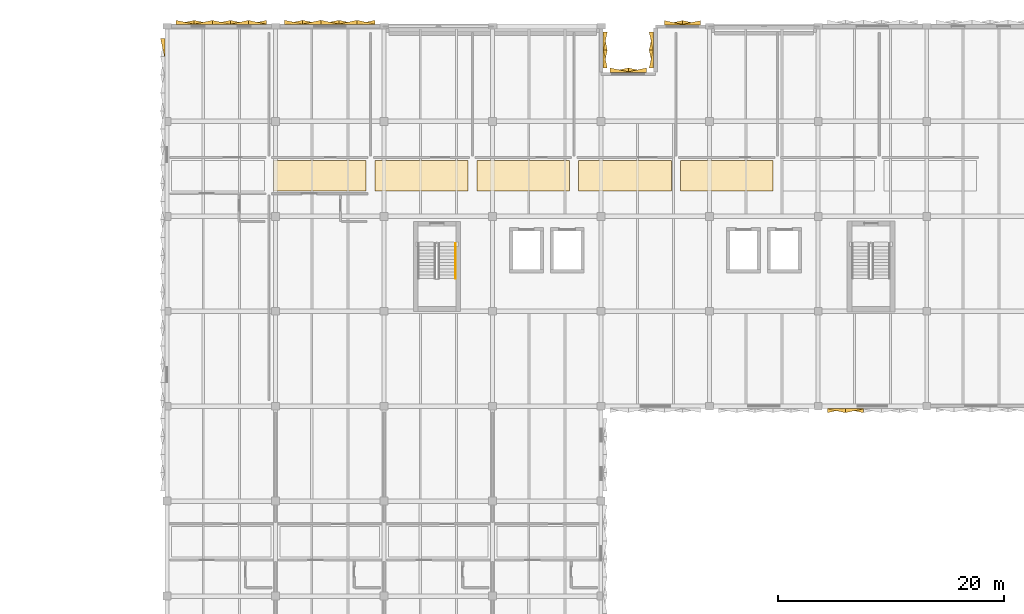
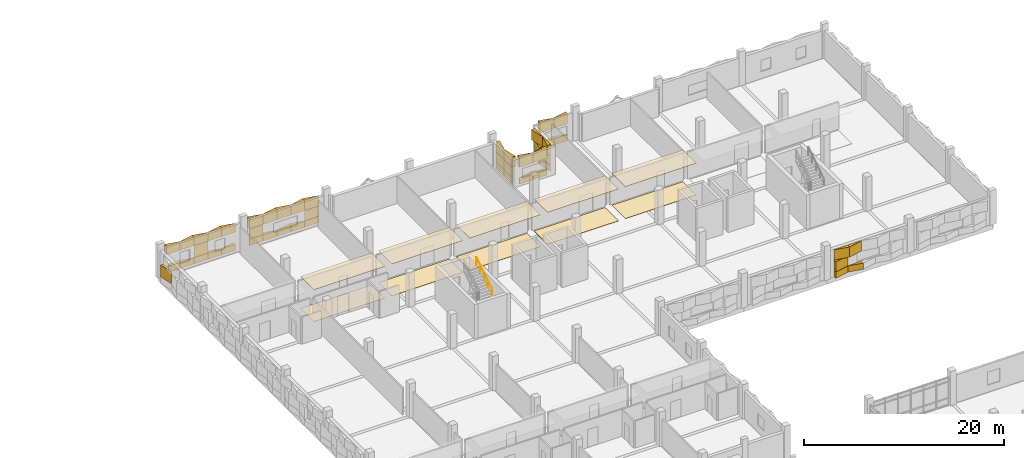
# One storey, part 55 of 57: 59 coverings, 1 railing.
"""IFC4 building model written with IfcOpenShell, lengths in metres."""

import ifcopenshell
import ifcopenshell.guid

model = None  # the IFC model being written
_history = None  # IfcOwnerHistory: only IFC2X3 demands one
_inside = {}  # id of a spatial element -> (the spatial element, [elements in it])
_under = {}  # id of a project, library or spatial element -> (it, [spatial elements below it])
_declared = {}  # id of a project -> (the project, [libraries it declares])
_typed = {}  # id of a type object -> (the type object, [elements of that type])
_made_of = {}  # id of a material, layer set ... -> (it, [elements and type objects made of it])


def new_model(schema):
    """Start an empty IFC model of exactly this schema.

    Asked for "IFC4X3", IfcOpenShell would pick the latest addendum, in which some entities
    have other attributes; the version numbers below select the first issue.
    IFC2X3 requires an IfcOwnerHistory on every rooted entity: one is made here for all.
    """
    global model, _history
    if schema == "IFC4X3":
        model = ifcopenshell.file(schema_version=(4, 3, 0, 0))
    else:
        model = ifcopenshell.file(schema=schema)
    _inside.clear()
    _under.clear()
    _declared.clear()
    _typed.clear()
    _made_of.clear()
    _history = None
    if model.schema == "IFC2X3":
        org = make("IfcOrganization", Name="unknown")
        user = make(
            "IfcPersonAndOrganization",
            ThePerson=make("IfcPerson", FamilyName="unknown"),
            TheOrganization=org,
        )
        app = make(
            "IfcApplication",
            ApplicationDeveloper=org,
            Version="unknown",
            ApplicationFullName="unknown",
            ApplicationIdentifier="unknown",
        )
        _history = make(
            "IfcOwnerHistory",
            OwningUser=user,
            OwningApplication=app,
            ChangeAction="ADDED",
            CreationDate=0,
        )
    return model


def make(cls, **values):
    """One entity of the class cls with the attributes given. An attribute that is None is left unset."""
    return model.create_entity(
        cls, **{name: value for name, value in values.items() if value is not None}
    )


def rooted(cls, **values):
    """An entity with a GlobalId (a new one), such as an element, a storey or a relation."""
    return make(cls, GlobalId=ifcopenshell.guid.new(), OwnerHistory=_history, **values)


def si_unit(unit_type, name, prefix=None):
    """IfcSIUnit, for example si_unit("LENGTHUNIT", "METRE", prefix="MILLI")."""
    return make("IfcSIUnit", UnitType=unit_type, Prefix=prefix, Name=name)


def assignment(units):
    """IfcUnitAssignment: the units of a project."""
    return None if units is None else make("IfcUnitAssignment", Units=units)


def point(xyz):
    """IfcCartesianPoint."""
    return None if xyz is None else make("IfcCartesianPoint", Coordinates=xyz)


def direction(xyz):
    """IfcDirection."""
    return None if xyz is None else make("IfcDirection", DirectionRatios=xyz)


def frame(location, z_axis=None, x_axis=None):
    """IfcAxis2Placement3D, a coordinate frame: its origin and axes. An axis left out is left unset."""
    return make(
        "IfcAxis2Placement3D",
        Location=point(location),
        Axis=direction(z_axis),
        RefDirection=direction(x_axis),
    )


def frame_2d(location, x_axis=None):
    """IfcAxis2Placement2D, a coordinate frame in the plane: its origin and x axis."""
    return make(
        "IfcAxis2Placement2D", Location=point(location), RefDirection=direction(x_axis)
    )


def origin():
    """The frame at (0, 0, 0) with its axes left unset."""
    return frame((0.0, 0.0, 0.0))


def origin_2d():
    """The frame at (0, 0) in the plane with its x axis left unset."""
    return frame_2d((0.0, 0.0))


def place(relative_to, where):
    """IfcLocalPlacement: puts the frame where relative to a parent placement (None: the world)."""
    return make(
        "IfcLocalPlacement", PlacementRelTo=relative_to, RelativePlacement=where
    )


def context(
    kind, dimensions, precision=None, world=None, true_north=None, identifier=None
):
    """IfcGeometricRepresentationContext, for example the 3D "Model" context."""
    return make(
        "IfcGeometricRepresentationContext",
        ContextIdentifier=identifier,
        ContextType=kind,
        CoordinateSpaceDimension=dimensions,
        Precision=precision,
        WorldCoordinateSystem=world,
        TrueNorth=true_north,
    )


def subcontext(parent, identifier, kind, view, scale=None):
    """IfcGeometricRepresentationSubContext, for example "Body" below "Model"."""
    return make(
        "IfcGeometricRepresentationSubContext",
        ContextIdentifier=identifier,
        ContextType=kind,
        ParentContext=parent,
        TargetScale=scale,
        TargetView=view,
    )


def project(units=None, contexts=None):
    """IfcProject with its units and contexts."""
    return rooted(
        "IfcProject",
        Name="project",
        RepresentationContexts=contexts,
        UnitsInContext=assignment(units),
    )


def spatial(cls, under=None, at=None, **own):
    """A site, building, storey or space (cls), placed at a placement, below another one or the project."""
    s = rooted(cls, ObjectPlacement=at, **own)
    if under is not None:
        _under.setdefault(under.id(), (under, []))[1].append(s)
    return s


def polyline(points):
    """IfcPolyline through the points."""
    return make("IfcPolyline", Points=[point(p) for p in points])


def profile(cls, at=None, kind="AREA", **sizes):
    """A parametric profile (cls). Its sizes go by their IFC names, for example OverallWidth=200.0."""
    return make(cls, ProfileType=kind, Position=at, **sizes)


def circle(**sizes):
    """IfcCircleProfileDef."""
    return profile("IfcCircleProfileDef", **sizes)


def outline(outer, holes=None, kind="AREA"):
    """IfcArbitraryClosedProfileDef: a profile drawn as a closed curve; with holes, ...WithVoids."""
    if holes is None:
        return make("IfcArbitraryClosedProfileDef", ProfileType=kind, OuterCurve=outer)
    return make(
        "IfcArbitraryProfileDefWithVoids",
        ProfileType=kind,
        OuterCurve=outer,
        InnerCurves=holes,
    )


def extrude(swept, where, along, depth):
    """IfcExtrudedAreaSolid: the profile swept, set in the frame where, extruded along a direction by depth."""
    return make(
        "IfcExtrudedAreaSolid",
        SweptArea=swept,
        Position=where,
        ExtrudedDirection=direction(along),
        Depth=depth,
    )


def shape(context_of_items, identifier, shape_type, items):
    """IfcShapeRepresentation: the items that make up one representation, for example the "Body"."""
    return make(
        "IfcShapeRepresentation",
        ContextOfItems=context_of_items,
        RepresentationIdentifier=identifier,
        RepresentationType=shape_type,
        Items=items,
    )


def material(Name=None, Category=None):
    """IfcMaterial."""
    return make("IfcMaterial", Name=Name, Category=Category)


def layer(
    of_material, thickness, ventilated=None, Name=None, Category=None, Priority=None
):
    """IfcMaterialLayer: one layer of a wall or slab, of a material (None: an air gap)."""
    return make(
        "IfcMaterialLayer",
        Material=of_material,
        LayerThickness=thickness,
        IsVentilated=ventilated,
        Name=Name,
        Category=Category,
        Priority=Priority,
    )


def layer_set(layers, Name=None):
    """IfcMaterialLayerSet."""
    return make("IfcMaterialLayerSet", MaterialLayers=layers, LayerSetName=Name)


def made_of(thing, what):
    """Note that an element or type object is made of a material, layer set ...; save() writes the relation."""
    if what is not None:
        _made_of.setdefault(what.id(), (what, []))[1].append(thing)
    return thing


def type_object(cls, material=None, **own):
    """A type object (cls), such as IfcWallType, which elements share."""
    return made_of(rooted(cls, **own), material)


def element(
    cls,
    number,
    at=None,
    inside=None,
    cuts=None,
    type_object=None,
    material=None,
    context=None,
    identifier="Body",
    shape_type=None,
    held_by="IfcProductDefinitionShape",
    body=None,
    shapes=None,
    **own,
):
    """One element of the class cls, such as IfcWall. Its Tag is "e" and its number.

    at: its placement. inside: the storey or other place that contains it. cuts: it is an
    opening in that element (IfcRelVoidsElement). A single representation is given by context,
    identifier, shape_type and body (its items); several are given by shapes. held_by: the class
    of the entity that holds the representations. save() writes the other relations.
    """
    e = rooted(cls, Tag="e%d" % number, ObjectPlacement=at, **own)
    if body is not None:
        shapes = [shape(context, identifier, shape_type, body)]
    if shapes is not None:
        e.Representation = make(held_by, Representations=shapes)
    if inside is not None:
        _inside.setdefault(inside.id(), (inside, []))[1].append(e)
    if cuts is not None:
        rooted(
            "IfcRelVoidsElement", RelatingBuildingElement=cuts, RelatedOpeningElement=e
        )
    if type_object is not None:
        _typed.setdefault(type_object.id(), (type_object, []))[1].append(e)
    return made_of(e, material)


def aggregate(whole, parts):
    """IfcRelAggregates: a whole, such as a stair, and the parts it consists of."""
    return rooted("IfcRelAggregates", RelatingObject=whole, RelatedObjects=parts)


def save(model, path):
    """Write the relations noted so far, then the file.

    IfcRelAggregates (storeys below a building ...), IfcRelContainedInSpatialStructure (elements
    in a storey), IfcRelDefinesByType, IfcRelAssociatesMaterial and IfcRelDeclares: one each for
    every whole, place, type object, material and project.
    """
    for whole, parts in _under.values():
        aggregate(whole, parts)
    for where, things in _inside.values():
        rooted(
            "IfcRelContainedInSpatialStructure",
            RelatedElements=things,
            RelatingStructure=where,
        )
    for kind, things in _typed.values():
        rooted("IfcRelDefinesByType", RelatedObjects=things, RelatingType=kind)
    for what, things in _made_of.values():
        rooted("IfcRelAssociatesMaterial", RelatedObjects=things, RelatingMaterial=what)
    for by, libraries in _declared.values():
        rooted("IfcRelDeclares", RelatingContext=by, RelatedDefinitions=libraries)
    model.write(path)


model = new_model("IFC4")

# Units and contexts
model_context = context("Model", 3, precision=1e-05, world=origin(), true_north=direction((0.0, 1.0)))
body_context = subcontext(model_context, "Body", "Model", "MODEL_VIEW")
ifc_project = project(units=[si_unit("LENGTHUNIT", "METRE"), si_unit("AREAUNIT", "SQUARE_METRE"), si_unit("VOLUMEUNIT", "CUBIC_METRE"), si_unit("PLANEANGLEUNIT", "RADIAN"), si_unit("MASSUNIT", "GRAM", prefix="KILO")], contexts=[model_context])

# Site, building, storey
site_placement = place(None, origin())
site = spatial("IfcSite", under=ifc_project, at=site_placement, CompositionType="ELEMENT")
building_placement = place(site_placement, origin())
building = spatial("IfcBuilding", under=site, at=building_placement, Name="Oolite Switchyard Hospital", CompositionType="ELEMENT")
storey_placement = place(building_placement, frame((0.0, 0.0, 17.800048828125)))
storey = spatial("IfcBuildingStorey", under=building, at=storey_placement, Name="L04", CompositionType="ELEMENT", Elevation=17.800048828125)

# Coverings
ifc_material_1 = material(Name="Hygienic washable mineral-fibre acoustic ceiling")
ifc_layer_1 = layer(ifc_material_1, 0.0400390625)
ifc_layer_set_1 = layer_set([ifc_layer_1], Name="COV-CEIL-AC60")
covering_type_1 = type_object("IfcCoveringType", Name="COV-CEIL-AC60", PredefinedType="CEILING", material=ifc_layer_set_1)
covering_1_placement = place(storey_placement, frame((0.0, 0.0, 3.885009765625)))
element("IfcCovering", 1, at=covering_1_placement, inside=storey, type_object=covering_type_1, Name="L04 East Inpatient Oncology Ward Corridor Ceiling 2", PredefinedType="CEILING", context=body_context, shape_type="SweptSolid", body=[
    extrude(outline(polyline([(143.800048828125, 119.85009765625), (152.0, 119.85009765625), (152.0, 122.550048828125), (143.800048828125, 122.550048828125), (143.800048828125, 119.85009765625)])), origin(), (0.0, 0.0, 1.0), 0.0400390625),
])
covering_2_placement = place(storey_placement, frame((0.0, 0.0, 3.885009765625)))
element("IfcCovering", 2, at=covering_2_placement, inside=storey, type_object=covering_type_1, Name="L04 East Inpatient Oncology Ward Corridor Ceiling 3", PredefinedType="CEILING", context=body_context, shape_type="SweptSolid", body=[
    extrude(outline(polyline([(152.800048828125, 119.85009765625), (161.0, 119.85009765625), (161.0, 122.550048828125), (152.800048828125, 122.550048828125), (152.800048828125, 119.85009765625)])), origin(), (0.0, 0.0, 1.0), 0.0400390625),
])
covering_3_placement = place(storey_placement, frame((0.0, 0.0, 3.885009765625)))
element("IfcCovering", 3, at=covering_3_placement, inside=storey, type_object=covering_type_1, Name="L04 East Inpatient Oncology Ward Corridor Ceiling 4", PredefinedType="CEILING", context=body_context, shape_type="SweptSolid", body=[
    extrude(outline(polyline([(161.800048828125, 119.85009765625), (170.0, 119.85009765625), (170.0, 122.550048828125), (161.800048828125, 122.550048828125), (161.800048828125, 119.85009765625)])), origin(), (0.0, 0.0, 1.0), 0.0400390625),
])
covering_4_placement = place(storey_placement, frame((0.0, 0.0, 3.885009765625)))
element("IfcCovering", 4, at=covering_4_placement, inside=storey, type_object=covering_type_1, Name="L04 East Inpatient Oncology Ward Corridor Ceiling 5", PredefinedType="CEILING", context=body_context, shape_type="SweptSolid", body=[
    extrude(outline(polyline([(170.800048828125, 119.85009765625), (179.0, 119.85009765625), (179.0, 122.550048828125), (170.800048828125, 122.550048828125), (170.800048828125, 119.85009765625)])), origin(), (0.0, 0.0, 1.0), 0.0400390625),
])
covering_5_placement = place(storey_placement, frame((0.0, 0.0, 3.885009765625)))
element("IfcCovering", 5, at=covering_5_placement, inside=storey, type_object=covering_type_1, Name="L04 East Inpatient Oncology Ward Corridor Ceiling 6", PredefinedType="CEILING", context=body_context, shape_type="SweptSolid", body=[
    extrude(outline(polyline([(179.800048828125, 119.85009765625), (188.0, 119.85009765625), (188.0, 122.550048828125), (179.800048828125, 122.550048828125), (179.800048828125, 119.85009765625)])), origin(), (0.0, 0.0, 1.0), 0.0400390625),
])
ifc_material_2 = material(Name="Precast oolitic limestone architectural concrete C40/50", Category="masonry")
covering_type_2 = type_object("IfcCoveringType", Name="COV-CHEV-COOL", PredefinedType="CLADDING", material=ifc_material_2)
covering_6_placement = place(storey_placement, frame((196.0, 100.610107421875, 0.050048828125), z_axis=(0.0, 0.0, 1.0), x_axis=(-1.0, 0.0, 0.0)))
element("IfcCovering", 6, at=covering_6_placement, inside=storey, type_object=covering_type_2, Name="L04 Chevron Precast Oolite Panel 731", PredefinedType="CLADDING", context=body_context, shape_type="SweptSolid", body=[
    extrude(outline(polyline([(0.0, 0.0), (1.60009765625, 0.0), (1.60009765625, 0.044921875), (0.0, 0.385009765625), (0.0, 0.0)])), origin(), (0.0, 0.0, 1.0), 0.760009765625),
])
covering_7_placement = place(storey_placement, frame((196.0, 100.610107421875, 2.08984375), z_axis=(0.0, 0.0, 1.0), x_axis=(-1.0, 0.0, 0.0)))
element("IfcCovering", 7, at=covering_7_placement, inside=storey, type_object=covering_type_2, Name="L04 Chevron Precast Oolite Panel 732", PredefinedType="CLADDING", context=body_context, shape_type="SweptSolid", body=[
    extrude(outline(polyline([(0.0, 0.0), (1.60009765625, 0.0), (1.60009765625, 0.385009765625), (0.0, 0.044921875), (0.0, 0.0)])), origin(), (0.0, 0.0, 1.0), 1.25),
])
covering_8_placement = place(storey_placement, frame((194.39990234375, 100.610107421875, 0.050048828125), z_axis=(0.0, 0.0, 1.0), x_axis=(-1.0, 0.0, 0.0)))
element("IfcCovering", 8, at=covering_8_placement, inside=storey, type_object=covering_type_2, Name="L04 Chevron Precast Oolite Panel 733", PredefinedType="CLADDING", context=body_context, shape_type="SweptSolid", body=[
    extrude(outline(polyline([(0.0, 0.0), (1.599853515625, 0.0), (1.599853515625, 0.385009765625), (0.0, 0.044921875), (0.0, 0.0)])), origin(), (0.0, 0.0, 1.0), 0.760009765625),
])
covering_9_placement = place(storey_placement, frame((194.39990234375, 100.610107421875, 2.08984375), z_axis=(0.0, 0.0, 1.0), x_axis=(-1.0, 0.0, 0.0)))
element("IfcCovering", 9, at=covering_9_placement, inside=storey, type_object=covering_type_2, Name="L04 Chevron Precast Oolite Panel 734", PredefinedType="CLADDING", context=body_context, shape_type="SweptSolid", body=[
    extrude(outline(polyline([(0.0, 0.0), (1.599853515625, 0.0), (1.599853515625, 0.044921875), (0.0, 0.385009765625), (0.0, 0.0)])), origin(), (0.0, 0.0, 1.0), 1.25),
])
covering_10_placement = place(storey_placement, frame((194.39990234375, 100.610107421875, 0.829833984375), z_axis=(0.0, 0.0, 1.0), x_axis=(-1.0, 0.0, 0.0)))
element("IfcCovering", 10, at=covering_10_placement, inside=storey, type_object=covering_type_2, Name="L04 Chevron Precast Oolite Panel 735", PredefinedType="CLADDING", context=body_context, shape_type="SweptSolid", body=[
    extrude(outline(polyline([(0.0, 0.0), (1.599853515625, 0.0), (1.599853515625, 0.385009765625), (0.0, 0.044921875), (0.0, 0.0)])), origin(), (0.0, 0.0, 1.0), 1.240234375),
])
covering_11_placement = place(storey_placement, frame((173.60009765625, 130.340087890625, 0.050048828125), z_axis=(0.0, 0.0, 1.0), x_axis=(1.0, 0.0, 0.0)))
element("IfcCovering", 11, at=covering_11_placement, inside=storey, type_object=covering_type_2, Name="L04 Chevron Precast Oolite Panel 748", PredefinedType="CLADDING", context=body_context, shape_type="SweptSolid", body=[
    extrude(outline(polyline([(0.0, 0.0), (1.599853515625, 0.0), (1.599853515625, 0.385009765625), (0.0, 0.044921875), (0.0, 0.0)])), origin(), (0.0, 0.0, 1.0), 0.760009765625),
])
covering_12_placement = place(storey_placement, frame((173.60009765625, 130.340087890625, 2.08984375), z_axis=(0.0, 0.0, 1.0), x_axis=(1.0, 0.0, 0.0)))
element("IfcCovering", 12, at=covering_12_placement, inside=storey, type_object=covering_type_2, Name="L04 Chevron Precast Oolite Panel 749", PredefinedType="CLADDING", context=body_context, shape_type="SweptSolid", body=[
    extrude(outline(polyline([(0.0, 0.0), (1.599853515625, 0.0), (1.599853515625, 0.044921875), (0.0, 0.385009765625), (0.0, 0.0)])), origin(), (0.0, 0.0, 1.0), 1.25),
])
covering_13_placement = place(storey_placement, frame((175.199951171875, 130.340087890625, 0.050048828125), z_axis=(0.0, 0.0, 1.0), x_axis=(1.0, 0.0, 0.0)))
element("IfcCovering", 13, at=covering_13_placement, inside=storey, type_object=covering_type_2, Name="L04 Chevron Precast Oolite Panel 750", PredefinedType="CLADDING", context=body_context, shape_type="SweptSolid", body=[
    extrude(outline(polyline([(0.0, 0.0), (1.60009765625, 0.0), (1.60009765625, 0.044921875), (0.0, 0.385009765625), (0.0, 0.0)])), origin(), (0.0, 0.0, 1.0), 0.760009765625),
])
covering_14_placement = place(storey_placement, frame((175.199951171875, 130.340087890625, 2.08984375), z_axis=(0.0, 0.0, 1.0), x_axis=(1.0, 0.0, 0.0)))
element("IfcCovering", 14, at=covering_14_placement, inside=storey, type_object=covering_type_2, Name="L04 Chevron Precast Oolite Panel 751", PredefinedType="CLADDING", context=body_context, shape_type="SweptSolid", body=[
    extrude(outline(polyline([(0.0, 0.0), (1.60009765625, 0.0), (1.60009765625, 0.385009765625), (0.0, 0.044921875), (0.0, 0.0)])), origin(), (0.0, 0.0, 1.0), 1.25),
])
covering_15_placement = place(storey_placement, frame((135.199951171875, 134.550048828125, 0.050048828125), z_axis=(0.0, 0.0, 1.0), x_axis=(1.0, 0.0, 0.0)))
element("IfcCovering", 15, at=covering_15_placement, inside=storey, type_object=covering_type_2, Name="L04 Chevron Precast Oolite Panel 752", PredefinedType="CLADDING", context=body_context, shape_type="SweptSolid", body=[
    extrude(outline(polyline([(0.0, 0.0), (1.60009765625, 0.0), (1.60009765625, 0.385009765625), (0.0, 0.044921875), (0.0, 0.0)])), origin(), (0.0, 0.0, 1.0), 0.760009765625),
])
covering_16_placement = place(storey_placement, frame((135.199951171875, 134.550048828125, 2.2900390625), z_axis=(0.0, 0.0, 1.0), x_axis=(1.0, 0.0, 0.0)))
element("IfcCovering", 16, at=covering_16_placement, inside=storey, type_object=covering_type_2, Name="L04 Chevron Precast Oolite Panel 753", PredefinedType="CLADDING", context=body_context, shape_type="SweptSolid", body=[
    extrude(outline(polyline([(0.0, 0.0), (1.60009765625, 0.0), (1.60009765625, 0.044921875), (0.0, 0.385009765625), (0.0, 0.0)])), origin(), (0.0, 0.0, 1.0), 1.0498046875),
])
covering_17_placement = place(storey_placement, frame((136.800048828125, 134.550048828125, 0.050048828125), z_axis=(0.0, 0.0, 1.0), x_axis=(1.0, 0.0, 0.0)))
element("IfcCovering", 17, at=covering_17_placement, inside=storey, type_object=covering_type_2, Name="L04 Chevron Precast Oolite Panel 754", PredefinedType="CLADDING", context=body_context, shape_type="SweptSolid", body=[
    extrude(outline(polyline([(0.0, 0.0), (1.599853515625, 0.0), (1.599853515625, 0.044921875), (0.0, 0.385009765625), (0.0, 0.0)])), origin(), (0.0, 0.0, 1.0), 0.760009765625),
])
covering_18_placement = place(storey_placement, frame((136.800048828125, 134.550048828125, 2.2900390625), z_axis=(0.0, 0.0, 1.0), x_axis=(1.0, 0.0, 0.0)))
element("IfcCovering", 18, at=covering_18_placement, inside=storey, type_object=covering_type_2, Name="L04 Chevron Precast Oolite Panel 755", PredefinedType="CLADDING", context=body_context, shape_type="SweptSolid", body=[
    extrude(outline(polyline([(0.0, 0.0), (1.599853515625, 0.0), (1.599853515625, 0.385009765625), (0.0, 0.044921875), (0.0, 0.0)])), origin(), (0.0, 0.0, 1.0), 1.0498046875),
])
covering_19_placement = place(storey_placement, frame((138.39990234375, 134.550048828125, 0.050048828125), z_axis=(0.0, 0.0, 1.0), x_axis=(1.0, 0.0, 0.0)))
element("IfcCovering", 19, at=covering_19_placement, inside=storey, type_object=covering_type_2, Name="L04 Chevron Precast Oolite Panel 756", PredefinedType="CLADDING", context=body_context, shape_type="SweptSolid", body=[
    extrude(outline(polyline([(0.0, 0.0), (1.60009765625, 0.0), (1.60009765625, 0.385009765625), (0.0, 0.044921875), (0.0, 0.0)])), origin(), (0.0, 0.0, 1.0), 0.760009765625),
])
covering_20_placement = place(storey_placement, frame((138.39990234375, 134.550048828125, 2.2900390625), z_axis=(0.0, 0.0, 1.0), x_axis=(1.0, 0.0, 0.0)))
element("IfcCovering", 20, at=covering_20_placement, inside=storey, type_object=covering_type_2, Name="L04 Chevron Precast Oolite Panel 757", PredefinedType="CLADDING", context=body_context, shape_type="SweptSolid", body=[
    extrude(outline(polyline([(0.0, 0.0), (1.60009765625, 0.0), (1.60009765625, 0.044921875), (0.0, 0.385009765625), (0.0, 0.0)])), origin(), (0.0, 0.0, 1.0), 1.0498046875),
])
covering_21_placement = place(storey_placement, frame((138.39990234375, 134.550048828125, 0.829833984375), z_axis=(0.0, 0.0, 1.0), x_axis=(1.0, 0.0, 0.0)))
element("IfcCovering", 21, at=covering_21_placement, inside=storey, type_object=covering_type_2, Name="L04 Chevron Precast Oolite Panel 758", PredefinedType="CLADDING", context=body_context, shape_type="SweptSolid", body=[
    extrude(outline(polyline([(0.0, 0.0), (1.60009765625, 0.0), (1.60009765625, 0.385009765625), (0.0, 0.044921875), (0.0, 0.0)])), origin(), (0.0, 0.0, 1.0), 1.440185546875),
])
covering_22_placement = place(storey_placement, frame((140.0, 134.550048828125, 0.050048828125), z_axis=(0.0, 0.0, 1.0), x_axis=(1.0, 0.0, 0.0)))
element("IfcCovering", 22, at=covering_22_placement, inside=storey, type_object=covering_type_2, Name="L04 Chevron Precast Oolite Panel 759", PredefinedType="CLADDING", context=body_context, shape_type="SweptSolid", body=[
    extrude(outline(polyline([(0.0, 0.0), (1.60009765625, 0.0), (1.60009765625, 0.044921875), (0.0, 0.385009765625), (0.0, 0.0)])), origin(), (0.0, 0.0, 1.0), 0.760009765625),
])
covering_23_placement = place(storey_placement, frame((140.0, 134.550048828125, 2.2900390625), z_axis=(0.0, 0.0, 1.0), x_axis=(1.0, 0.0, 0.0)))
element("IfcCovering", 23, at=covering_23_placement, inside=storey, type_object=covering_type_2, Name="L04 Chevron Precast Oolite Panel 760", PredefinedType="CLADDING", context=body_context, shape_type="SweptSolid", body=[
    extrude(outline(polyline([(0.0, 0.0), (1.60009765625, 0.0), (1.60009765625, 0.385009765625), (0.0, 0.044921875), (0.0, 0.0)])), origin(), (0.0, 0.0, 1.0), 1.0498046875),
])
covering_24_placement = place(storey_placement, frame((141.60009765625, 134.550048828125, 0.050048828125), z_axis=(0.0, 0.0, 1.0), x_axis=(1.0, 0.0, 0.0)))
element("IfcCovering", 24, at=covering_24_placement, inside=storey, type_object=covering_type_2, Name="L04 Chevron Precast Oolite Panel 761", PredefinedType="CLADDING", context=body_context, shape_type="SweptSolid", body=[
    extrude(outline(polyline([(0.0, 0.0), (1.599853515625, 0.0), (1.599853515625, 0.385009765625), (0.0, 0.044921875), (0.0, 0.0)])), origin(), (0.0, 0.0, 1.0), 0.760009765625),
])
covering_25_placement = place(storey_placement, frame((141.60009765625, 134.550048828125, 2.2900390625), z_axis=(0.0, 0.0, 1.0), x_axis=(1.0, 0.0, 0.0)))
element("IfcCovering", 25, at=covering_25_placement, inside=storey, type_object=covering_type_2, Name="L04 Chevron Precast Oolite Panel 762", PredefinedType="CLADDING", context=body_context, shape_type="SweptSolid", body=[
    extrude(outline(polyline([(0.0, 0.0), (1.599853515625, 0.0), (1.599853515625, 0.044921875), (0.0, 0.385009765625), (0.0, 0.0)])), origin(), (0.0, 0.0, 1.0), 1.0498046875),
])
covering_26_placement = place(storey_placement, frame((144.800048828125, 134.56005859375, 0.050048828125), z_axis=(0.0, 0.0, 1.0), x_axis=(1.0, 0.0, 0.0)))
element("IfcCovering", 26, at=covering_26_placement, inside=storey, type_object=covering_type_2, Name="L04 Chevron Precast Oolite Panel 763", PredefinedType="CLADDING", context=body_context, shape_type="SweptSolid", body=[
    extrude(outline(polyline([(0.0, 0.0), (1.599853515625, 0.0), (1.599853515625, 0.385009765625), (0.0, 0.044921875), (0.0, 0.0)])), origin(), (0.0, 0.0, 1.0), 0.760009765625),
])
covering_27_placement = place(storey_placement, frame((144.800048828125, 134.56005859375, 2.08984375), z_axis=(0.0, 0.0, 1.0), x_axis=(1.0, 0.0, 0.0)))
element("IfcCovering", 27, at=covering_27_placement, inside=storey, type_object=covering_type_2, Name="L04 Chevron Precast Oolite Panel 764", PredefinedType="CLADDING", context=body_context, shape_type="SweptSolid", body=[
    extrude(outline(polyline([(0.0, 0.0), (1.599853515625, 0.0), (1.599853515625, 0.044921875), (0.0, 0.385009765625), (0.0, 0.0)])), origin(), (0.0, 0.0, 1.0), 1.25),
])
covering_28_placement = place(storey_placement, frame((144.800048828125, 134.56005859375, 0.829833984375), z_axis=(0.0, 0.0, 1.0), x_axis=(1.0, 0.0, 0.0)))
element("IfcCovering", 28, at=covering_28_placement, inside=storey, type_object=covering_type_2, Name="L04 Chevron Precast Oolite Panel 765", PredefinedType="CLADDING", context=body_context, shape_type="SweptSolid", body=[
    extrude(outline(polyline([(0.0, 0.0), (1.599853515625, 0.0), (1.599853515625, 0.385009765625), (0.0, 0.044921875), (0.0, 0.0)])), origin(), (0.0, 0.0, 1.0), 1.240234375),
])
covering_29_placement = place(storey_placement, frame((146.39990234375, 134.56005859375, 0.050048828125), z_axis=(0.0, 0.0, 1.0), x_axis=(1.0, 0.0, 0.0)))
element("IfcCovering", 29, at=covering_29_placement, inside=storey, type_object=covering_type_2, Name="L04 Chevron Precast Oolite Panel 766", PredefinedType="CLADDING", context=body_context, shape_type="SweptSolid", body=[
    extrude(outline(polyline([(0.0, 0.0), (1.60009765625, 0.0), (1.60009765625, 0.044921875), (0.0, 0.385009765625), (0.0, 0.0)])), origin(), (0.0, 0.0, 1.0), 0.760009765625),
])
covering_30_placement = place(storey_placement, frame((146.39990234375, 134.56005859375, 2.08984375), z_axis=(0.0, 0.0, 1.0), x_axis=(1.0, 0.0, 0.0)))
element("IfcCovering", 30, at=covering_30_placement, inside=storey, type_object=covering_type_2, Name="L04 Chevron Precast Oolite Panel 767", PredefinedType="CLADDING", context=body_context, shape_type="SweptSolid", body=[
    extrude(outline(polyline([(0.0, 0.0), (1.60009765625, 0.0), (1.60009765625, 0.385009765625), (0.0, 0.044921875), (0.0, 0.0)])), origin(), (0.0, 0.0, 1.0), 1.25),
])
covering_31_placement = place(storey_placement, frame((148.0, 134.56005859375, 0.050048828125), z_axis=(0.0, 0.0, 1.0), x_axis=(1.0, 0.0, 0.0)))
element("IfcCovering", 31, at=covering_31_placement, inside=storey, type_object=covering_type_2, Name="L04 Chevron Precast Oolite Panel 768", PredefinedType="CLADDING", context=body_context, shape_type="SweptSolid", body=[
    extrude(outline(polyline([(0.0, 0.0), (1.60009765625, 0.0), (1.60009765625, 0.385009765625), (0.0, 0.044921875), (0.0, 0.0)])), origin(), (0.0, 0.0, 1.0), 0.760009765625),
])
covering_32_placement = place(storey_placement, frame((148.0, 134.56005859375, 2.08984375), z_axis=(0.0, 0.0, 1.0), x_axis=(1.0, 0.0, 0.0)))
element("IfcCovering", 32, at=covering_32_placement, inside=storey, type_object=covering_type_2, Name="L04 Chevron Precast Oolite Panel 769", PredefinedType="CLADDING", context=body_context, shape_type="SweptSolid", body=[
    extrude(outline(polyline([(0.0, 0.0), (1.60009765625, 0.0), (1.60009765625, 0.044921875), (0.0, 0.385009765625), (0.0, 0.0)])), origin(), (0.0, 0.0, 1.0), 1.25),
])
covering_33_placement = place(storey_placement, frame((149.60009765625, 134.56005859375, 0.050048828125), z_axis=(0.0, 0.0, 1.0), x_axis=(1.0, 0.0, 0.0)))
element("IfcCovering", 33, at=covering_33_placement, inside=storey, type_object=covering_type_2, Name="L04 Chevron Precast Oolite Panel 770", PredefinedType="CLADDING", context=body_context, shape_type="SweptSolid", body=[
    extrude(outline(polyline([(0.0, 0.0), (1.599853515625, 0.0), (1.599853515625, 0.044921875), (0.0, 0.385009765625), (0.0, 0.0)])), origin(), (0.0, 0.0, 1.0), 0.760009765625),
])
covering_34_placement = place(storey_placement, frame((149.60009765625, 134.56005859375, 2.08984375), z_axis=(0.0, 0.0, 1.0), x_axis=(1.0, 0.0, 0.0)))
element("IfcCovering", 34, at=covering_34_placement, inside=storey, type_object=covering_type_2, Name="L04 Chevron Precast Oolite Panel 771", PredefinedType="CLADDING", context=body_context, shape_type="SweptSolid", body=[
    extrude(outline(polyline([(0.0, 0.0), (1.599853515625, 0.0), (1.599853515625, 0.385009765625), (0.0, 0.044921875), (0.0, 0.0)])), origin(), (0.0, 0.0, 1.0), 1.25),
])
covering_35_placement = place(storey_placement, frame((151.199951171875, 134.56005859375, 0.050048828125), z_axis=(0.0, 0.0, 1.0), x_axis=(1.0, 0.0, 0.0)))
element("IfcCovering", 35, at=covering_35_placement, inside=storey, type_object=covering_type_2, Name="L04 Chevron Precast Oolite Panel 772", PredefinedType="CLADDING", context=body_context, shape_type="SweptSolid", body=[
    extrude(outline(polyline([(0.0, 0.0), (1.60009765625, 0.0), (1.60009765625, 0.385009765625), (0.0, 0.044921875), (0.0, 0.0)])), origin(), (0.0, 0.0, 1.0), 0.760009765625),
])
covering_36_placement = place(storey_placement, frame((151.199951171875, 134.56005859375, 2.08984375), z_axis=(0.0, 0.0, 1.0), x_axis=(1.0, 0.0, 0.0)))
element("IfcCovering", 36, at=covering_36_placement, inside=storey, type_object=covering_type_2, Name="L04 Chevron Precast Oolite Panel 773", PredefinedType="CLADDING", context=body_context, shape_type="SweptSolid", body=[
    extrude(outline(polyline([(0.0, 0.0), (1.60009765625, 0.0), (1.60009765625, 0.044921875), (0.0, 0.385009765625), (0.0, 0.0)])), origin(), (0.0, 0.0, 1.0), 1.25),
])
covering_37_placement = place(storey_placement, frame((151.199951171875, 134.56005859375, 0.829833984375), z_axis=(0.0, 0.0, 1.0), x_axis=(1.0, 0.0, 0.0)))
element("IfcCovering", 37, at=covering_37_placement, inside=storey, type_object=covering_type_2, Name="L04 Chevron Precast Oolite Panel 774", PredefinedType="CLADDING", context=body_context, shape_type="SweptSolid", body=[
    extrude(outline(polyline([(0.0, 0.0), (1.60009765625, 0.0), (1.60009765625, 0.385009765625), (0.0, 0.044921875), (0.0, 0.0)])), origin(), (0.0, 0.0, 1.0), 1.240234375),
])
covering_38_placement = place(storey_placement, frame((178.39990234375, 134.530029296875, 0.050048828125), z_axis=(0.0, 0.0, 1.0), x_axis=(1.0, 0.0, 0.0)))
element("IfcCovering", 38, at=covering_38_placement, inside=storey, type_object=covering_type_2, Name="L04 Chevron Precast Oolite Panel 775", PredefinedType="CLADDING", context=body_context, shape_type="SweptSolid", body=[
    extrude(outline(polyline([(0.0, 0.0), (1.60009765625, 0.0), (1.60009765625, 0.385009765625), (0.0, 0.044921875), (0.0, 0.0)])), origin(), (0.0, 0.0, 1.0), 0.760009765625),
])
covering_39_placement = place(storey_placement, frame((178.39990234375, 134.530029296875, 2.08984375), z_axis=(0.0, 0.0, 1.0), x_axis=(1.0, 0.0, 0.0)))
element("IfcCovering", 39, at=covering_39_placement, inside=storey, type_object=covering_type_2, Name="L04 Chevron Precast Oolite Panel 776", PredefinedType="CLADDING", context=body_context, shape_type="SweptSolid", body=[
    extrude(outline(polyline([(0.0, 0.0), (1.60009765625, 0.0), (1.60009765625, 0.044921875), (0.0, 0.385009765625), (0.0, 0.0)])), origin(), (0.0, 0.0, 1.0), 1.25),
])
covering_40_placement = place(storey_placement, frame((180.0, 134.530029296875, 0.050048828125), z_axis=(0.0, 0.0, 1.0), x_axis=(1.0, 0.0, 0.0)))
element("IfcCovering", 40, at=covering_40_placement, inside=storey, type_object=covering_type_2, Name="L04 Chevron Precast Oolite Panel 777", PredefinedType="CLADDING", context=body_context, shape_type="SweptSolid", body=[
    extrude(outline(polyline([(0.0, 0.0), (1.60009765625, 0.0), (1.60009765625, 0.044921875), (0.0, 0.385009765625), (0.0, 0.0)])), origin(), (0.0, 0.0, 1.0), 0.760009765625),
])
covering_41_placement = place(storey_placement, frame((180.0, 134.530029296875, 2.08984375), z_axis=(0.0, 0.0, 1.0), x_axis=(1.0, 0.0, 0.0)))
element("IfcCovering", 41, at=covering_41_placement, inside=storey, type_object=covering_type_2, Name="L04 Chevron Precast Oolite Panel 778", PredefinedType="CLADDING", context=body_context, shape_type="SweptSolid", body=[
    extrude(outline(polyline([(0.0, 0.0), (1.60009765625, 0.0), (1.60009765625, 0.385009765625), (0.0, 0.044921875), (0.0, 0.0)])), origin(), (0.0, 0.0, 1.0), 1.25),
])
covering_42_placement = place(storey_placement, frame((134.2099609375, 131.719970703125, 0.829833984375), z_axis=(0.0, 0.0, 1.0), x_axis=(0.0, 1.0, 0.0)))
element("IfcCovering", 42, at=covering_42_placement, inside=storey, type_object=covering_type_2, Name="L04 Chevron Precast Oolite Panel 940", PredefinedType="CLADDING", context=body_context, shape_type="SweptSolid", body=[
    extrude(outline(polyline([(0.0, 0.0), (1.60009765625, 0.0), (1.60009765625, 0.385009765625), (0.0, 0.044921875), (0.0, 0.0)])), origin(), (0.0, 0.0, 1.0), 1.440185546875),
])
covering_43_placement = place(storey_placement, frame((172.9599609375, 133.89990234375, 0.050048828125), z_axis=(0.0, 0.0, 1.0), x_axis=(0.0, -1.0, 0.0)))
element("IfcCovering", 43, at=covering_43_placement, inside=storey, type_object=covering_type_2, Name="L04 Chevron Precast Oolite Panel 975", PredefinedType="CLADDING", context=body_context, shape_type="SweptSolid", body=[
    extrude(outline(polyline([(0.0, 0.0), (1.599853515625, 0.0), (1.599853515625, 0.385009765625), (0.0, 0.044921875), (0.0, 0.0)])), origin(), (0.0, 0.0, 1.0), 0.760009765625),
])
covering_44_placement = place(storey_placement, frame((172.9599609375, 133.89990234375, 2.08984375), z_axis=(0.0, 0.0, 1.0), x_axis=(0.0, -1.0, 0.0)))
element("IfcCovering", 44, at=covering_44_placement, inside=storey, type_object=covering_type_2, Name="L04 Chevron Precast Oolite Panel 976", PredefinedType="CLADDING", context=body_context, shape_type="SweptSolid", body=[
    extrude(outline(polyline([(0.0, 0.0), (1.599853515625, 0.0), (1.599853515625, 0.044921875), (0.0, 0.385009765625), (0.0, 0.0)])), origin(), (0.0, 0.0, 1.0), 1.25),
])
covering_45_placement = place(storey_placement, frame((172.9599609375, 133.89990234375, 0.829833984375), z_axis=(0.0, 0.0, 1.0), x_axis=(0.0, -1.0, 0.0)))
element("IfcCovering", 45, at=covering_45_placement, inside=storey, type_object=covering_type_2, Name="L04 Chevron Precast Oolite Panel 977", PredefinedType="CLADDING", context=body_context, shape_type="SweptSolid", body=[
    extrude(outline(polyline([(0.0, 0.0), (1.599853515625, 0.0), (1.599853515625, 0.385009765625), (0.0, 0.044921875), (0.0, 0.0)])), origin(), (0.0, 0.0, 1.0), 1.240234375),
])
covering_46_placement = place(storey_placement, frame((172.9599609375, 132.300048828125, 0.050048828125), z_axis=(0.0, 0.0, 1.0), x_axis=(0.0, -1.0, 0.0)))
element("IfcCovering", 46, at=covering_46_placement, inside=storey, type_object=covering_type_2, Name="L04 Chevron Precast Oolite Panel 978", PredefinedType="CLADDING", context=body_context, shape_type="SweptSolid", body=[
    extrude(outline(polyline([(0.0, 0.0), (1.60009765625, 0.0), (1.60009765625, 0.044921875), (0.0, 0.385009765625), (0.0, 0.0)])), origin(), (0.0, 0.0, 1.0), 0.760009765625),
])
covering_47_placement = place(storey_placement, frame((172.9599609375, 132.300048828125, 2.08984375), z_axis=(0.0, 0.0, 1.0), x_axis=(0.0, -1.0, 0.0)))
element("IfcCovering", 47, at=covering_47_placement, inside=storey, type_object=covering_type_2, Name="L04 Chevron Precast Oolite Panel 979", PredefinedType="CLADDING", context=body_context, shape_type="SweptSolid", body=[
    extrude(outline(polyline([(0.0, 0.0), (1.60009765625, 0.0), (1.60009765625, 0.385009765625), (0.0, 0.044921875), (0.0, 0.0)])), origin(), (0.0, 0.0, 1.0), 1.25),
])
covering_48_placement = place(storey_placement, frame((172.9599609375, 132.300048828125, 0.829833984375), z_axis=(0.0, 0.0, 1.0), x_axis=(0.0, -1.0, 0.0)))
element("IfcCovering", 48, at=covering_48_placement, inside=storey, type_object=covering_type_2, Name="L04 Chevron Precast Oolite Panel 980", PredefinedType="CLADDING", context=body_context, shape_type="SweptSolid", body=[
    extrude(outline(polyline([(0.0, 0.0), (1.60009765625, 0.0), (1.60009765625, 0.044921875), (0.0, 0.385009765625), (0.0, 0.0)])), origin(), (0.0, 0.0, 1.0), 1.240234375),
])
covering_49_placement = place(storey_placement, frame((177.429931640625, 130.699951171875, 0.050048828125), z_axis=(0.0, 0.0, 1.0), x_axis=(0.0, 1.0, 0.0)))
element("IfcCovering", 49, at=covering_49_placement, inside=storey, type_object=covering_type_2, Name="L04 Chevron Precast Oolite Panel 981", PredefinedType="CLADDING", context=body_context, shape_type="SweptSolid", body=[
    extrude(outline(polyline([(0.0, 0.0), (1.60009765625, 0.0), (1.60009765625, 0.385009765625), (0.0, 0.044921875), (0.0, 0.0)])), origin(), (0.0, 0.0, 1.0), 0.760009765625),
])
covering_50_placement = place(storey_placement, frame((177.429931640625, 130.699951171875, 2.08984375), z_axis=(0.0, 0.0, 1.0), x_axis=(0.0, 1.0, 0.0)))
element("IfcCovering", 50, at=covering_50_placement, inside=storey, type_object=covering_type_2, Name="L04 Chevron Precast Oolite Panel 982", PredefinedType="CLADDING", context=body_context, shape_type="SweptSolid", body=[
    extrude(outline(polyline([(0.0, 0.0), (1.60009765625, 0.0), (1.60009765625, 0.044921875), (0.0, 0.385009765625), (0.0, 0.0)])), origin(), (0.0, 0.0, 1.0), 1.25),
])
covering_51_placement = place(storey_placement, frame((177.429931640625, 130.699951171875, 0.829833984375), z_axis=(0.0, 0.0, 1.0), x_axis=(0.0, 1.0, 0.0)))
element("IfcCovering", 51, at=covering_51_placement, inside=storey, type_object=covering_type_2, Name="L04 Chevron Precast Oolite Panel 983", PredefinedType="CLADDING", context=body_context, shape_type="SweptSolid", body=[
    extrude(outline(polyline([(0.0, 0.0), (1.60009765625, 0.0), (1.60009765625, 0.385009765625), (0.0, 0.044921875), (0.0, 0.0)])), origin(), (0.0, 0.0, 1.0), 1.240234375),
])
covering_52_placement = place(storey_placement, frame((177.429931640625, 132.300048828125, 0.050048828125), z_axis=(0.0, 0.0, 1.0), x_axis=(0.0, 1.0, 0.0)))
element("IfcCovering", 52, at=covering_52_placement, inside=storey, type_object=covering_type_2, Name="L04 Chevron Precast Oolite Panel 984", PredefinedType="CLADDING", context=body_context, shape_type="SweptSolid", body=[
    extrude(outline(polyline([(0.0, 0.0), (1.599853515625, 0.0), (1.599853515625, 0.044921875), (0.0, 0.385009765625), (0.0, 0.0)])), origin(), (0.0, 0.0, 1.0), 0.760009765625),
])
covering_53_placement = place(storey_placement, frame((177.429931640625, 132.300048828125, 2.08984375), z_axis=(0.0, 0.0, 1.0), x_axis=(0.0, 1.0, 0.0)))
element("IfcCovering", 53, at=covering_53_placement, inside=storey, type_object=covering_type_2, Name="L04 Chevron Precast Oolite Panel 985", PredefinedType="CLADDING", context=body_context, shape_type="SweptSolid", body=[
    extrude(outline(polyline([(0.0, 0.0), (1.599853515625, 0.0), (1.599853515625, 0.385009765625), (0.0, 0.044921875), (0.0, 0.0)])), origin(), (0.0, 0.0, 1.0), 1.25),
])
covering_54_placement = place(storey_placement, frame((177.429931640625, 132.300048828125, 0.829833984375), z_axis=(0.0, 0.0, 1.0), x_axis=(0.0, 1.0, 0.0)))
element("IfcCovering", 54, at=covering_54_placement, inside=storey, type_object=covering_type_2, Name="L04 Chevron Precast Oolite Panel 986", PredefinedType="CLADDING", context=body_context, shape_type="SweptSolid", body=[
    extrude(outline(polyline([(0.0, 0.0), (1.599853515625, 0.0), (1.599853515625, 0.044921875), (0.0, 0.385009765625), (0.0, 0.0)])), origin(), (0.0, 0.0, 1.0), 1.240234375),
])
ifc_material_3 = material(Name="Epoxy terrazzo seamless clinical flooring")
ifc_layer_2 = layer(ifc_material_3, 0.02001953125)
ifc_layer_set_2 = layer_set([ifc_layer_2], Name="COV-FLR-TER20")
covering_type_3 = type_object("IfcCoveringType", Name="COV-FLR-TER20", PredefinedType="FLOORING", material=ifc_layer_set_2)
covering_55_placement = place(storey_placement, origin())
element("IfcCovering", 55, at=covering_55_placement, inside=storey, type_object=covering_type_3, Name="L04 East Inpatient Oncology Ward Corridor Flooring 2", PredefinedType="FLOORING", context=body_context, shape_type="SweptSolid", body=[
    extrude(outline(polyline([(143.800048828125, 119.85009765625), (152.0, 119.85009765625), (152.0, 122.550048828125), (143.800048828125, 122.550048828125), (143.800048828125, 119.85009765625)])), origin(), (0.0, 0.0, 1.0), 0.02001953125),
])
covering_56_placement = place(storey_placement, origin())
element("IfcCovering", 56, at=covering_56_placement, inside=storey, type_object=covering_type_3, Name="L04 East Inpatient Oncology Ward Corridor Flooring 3", PredefinedType="FLOORING", context=body_context, shape_type="SweptSolid", body=[
    extrude(outline(polyline([(152.800048828125, 119.85009765625), (161.0, 119.85009765625), (161.0, 122.550048828125), (152.800048828125, 122.550048828125), (152.800048828125, 119.85009765625)])), origin(), (0.0, 0.0, 1.0), 0.02001953125),
])
covering_57_placement = place(storey_placement, origin())
element("IfcCovering", 57, at=covering_57_placement, inside=storey, type_object=covering_type_3, Name="L04 East Inpatient Oncology Ward Corridor Flooring 4", PredefinedType="FLOORING", context=body_context, shape_type="SweptSolid", body=[
    extrude(outline(polyline([(161.800048828125, 119.85009765625), (170.0, 119.85009765625), (170.0, 122.550048828125), (161.800048828125, 122.550048828125), (161.800048828125, 119.85009765625)])), origin(), (0.0, 0.0, 1.0), 0.02001953125),
])
covering_58_placement = place(storey_placement, origin())
element("IfcCovering", 58, at=covering_58_placement, inside=storey, type_object=covering_type_3, Name="L04 East Inpatient Oncology Ward Corridor Flooring 5", PredefinedType="FLOORING", context=body_context, shape_type="SweptSolid", body=[
    extrude(outline(polyline([(170.800048828125, 119.85009765625), (179.0, 119.85009765625), (179.0, 122.550048828125), (170.800048828125, 122.550048828125), (170.800048828125, 119.85009765625)])), origin(), (0.0, 0.0, 1.0), 0.02001953125),
])
covering_59_placement = place(storey_placement, origin())
element("IfcCovering", 59, at=covering_59_placement, inside=storey, type_object=covering_type_3, Name="L04 East Inpatient Oncology Ward Corridor Flooring 6", PredefinedType="FLOORING", context=body_context, shape_type="SweptSolid", body=[
    extrude(outline(polyline([(179.800048828125, 119.85009765625), (188.0, 119.85009765625), (188.0, 122.550048828125), (179.800048828125, 122.550048828125), (179.800048828125, 119.85009765625)])), origin(), (0.0, 0.0, 1.0), 0.02001953125),
])

# Railing
ifc_material_4 = material(Name="Galvanized painted architectural steel handrail", Category="steel")
railing_type = type_object("IfcRailingType", Name="RL-STAIR-HND", PredefinedType="HANDRAIL", material=ifc_material_4)
railing_placement = place(storey_placement, frame((159.909912109375, 112.110107421875, 2.27490234375)))
element("IfcRailing", 60, at=railing_placement, inside=storey, type_object=railing_type, Name="L04 ST-03 stair handrail 2", PredefinedType="HANDRAIL", context=body_context, shape_type="SweptSolid", body=[
    extrude(circle(Radius=0.02392578125, at=origin_2d()), frame((0.0, 0.0, 0.8759765625), z_axis=(0.0, 0.847979421464, 0.530029150871), x_axis=(-1.0, 0.0, 0.0)), (0.0, 0.0, 1.0), 3.632080078125),
    extrude(circle(Radius=0.02099609375, at=origin_2d()), origin(), (0.0, 0.0, 1.0), 0.851806640625),
    extrude(circle(Radius=0.02099609375, at=origin_2d()), frame((0.0, 0.77001953125, 0.481201171875)), (0.0, 0.0, 1.0), 0.851806640625),
    extrude(circle(Radius=0.02099609375, at=origin_2d()), frame((0.0, 1.5400390625, 0.96240234375)), (0.0, 0.0, 1.0), 0.851806640625),
    extrude(circle(Radius=0.02099609375, at=origin_2d()), frame((0.0, 2.309814453125, 1.44384765625)), (0.0, 0.0, 1.0), 0.851806640625),
    extrude(circle(Radius=0.02099609375, at=origin_2d()), frame((0.0, 3.079833984375, 1.925048828125)), (0.0, 0.0, 1.0), 0.851806640625),
])

save(model, "model.ifc")
